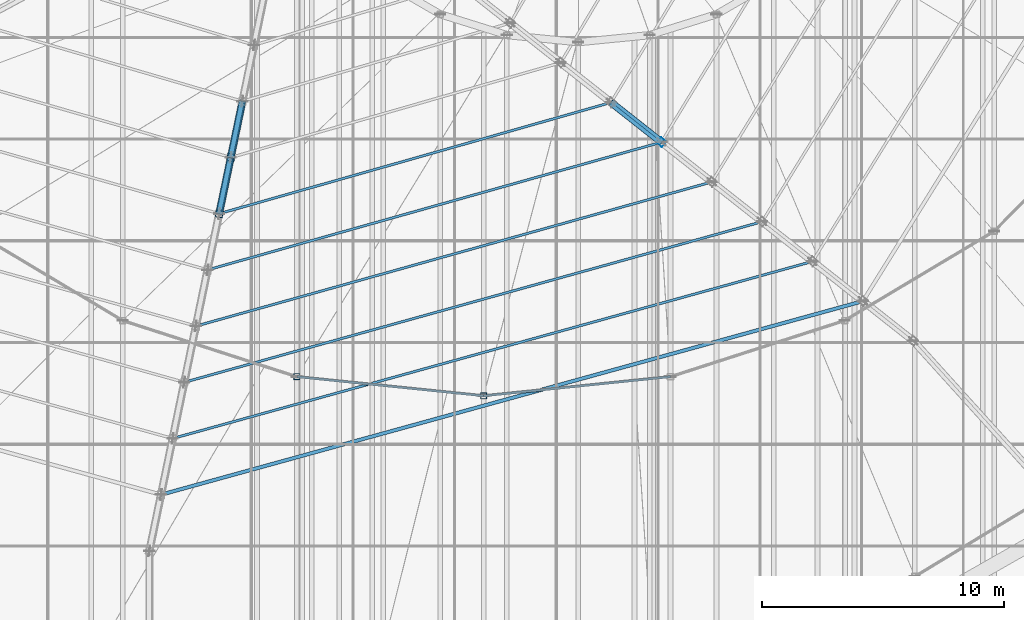
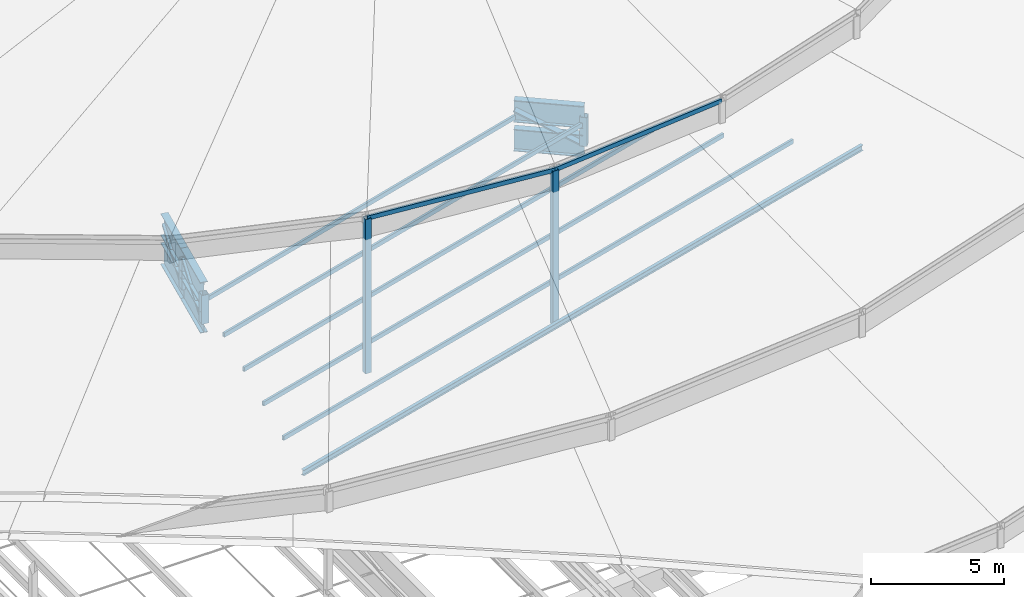
# One storey, part 50 of 184: 16 members, 6 beams.
"""IFC4 building model written with IfcOpenShell, lengths in metres."""

from ifc_helpers import new_model, si_unit, direction, frame, origin, origin_2d, place, context, subcontext, project, spatial, hollow_rectangle, i_section, extrude, material, material_profile, profile_set, type_object, element, save


model = new_model("IFC4")

# Units and contexts
model_context = context("Model", 3, precision=1e-05, world=origin(), true_north=direction((0.0, 1.0)))
body_context = subcontext(model_context, "Body", "Model", "MODEL_VIEW")
ifc_project = project(units=[si_unit("LENGTHUNIT", "METRE"), si_unit("AREAUNIT", "SQUARE_METRE"), si_unit("VOLUMEUNIT", "CUBIC_METRE"), si_unit("PLANEANGLEUNIT", "RADIAN"), si_unit("MASSUNIT", "GRAM", prefix="KILO")], contexts=[model_context])

# Site, building, storey
site_placement = place(None, origin())
site = spatial("IfcSite", under=ifc_project, at=site_placement, CompositionType="ELEMENT")
building_placement = place(site_placement, origin())
building = spatial("IfcBuilding", under=site, at=building_placement, Name="Kalgoora Escarpment Arena", CompositionType="ELEMENT")
storey_placement = place(building_placement, frame((0.0, 0.0, 27.60009765625)))
storey = spatial("IfcBuildingStorey", under=building, at=storey_placement, Name="Roof Level", CompositionType="ELEMENT", Elevation=27.60009765625)

# Beams
ifc_material_1 = material(Name="Structural steel Grade 350 (350 MPa)", Category="steel")
ifc_material_profile_1 = material_profile(ifc_material_1, i_section(OverallWidth=0.300048828125, OverallDepth=1.010009765625, WebThickness=0.01611328125, FlangeThickness=0.030029296875, at=origin_2d()))
ifc_profile_set_1 = profile_set([ifc_material_profile_1], Name="Structural steel Grade 350 (350 MPa)")
beam_type = type_object("IfcBeamType", Name="BM-TRUSS-CHORD", PredefinedType="USERDEFINED", material=ifc_profile_set_1)
for number, where, z_axis, x_axis, name in (
    (1, (95.277587890625, 48.30810546875, -1.6201171875), (0.202584900678, 0.979262359773, 0.002142136412), (-0.979264606575, 0.202585365485, 0.0), "Radial ROOF TRUSS spine 7 bottom chord 8"),
    (2, (95.277587890625, 48.30810546875, -0.2900390625), (0.202583593754, 0.979256042318, 0.004182239347), (-0.979264606575, 0.202585365485, 0.0), "Radial ROOF TRUSS spine 7 top chord 8"),
):
    element("IfcBeam", number, at=place(storey_placement, frame(where, z_axis=z_axis, x_axis=x_axis)), inside=storey, type_object=beam_type, Name=name, ObjectType="GIRDER", PredefinedType="USERDEFINED", context=body_context, shape_type="SweptSolid", body=[
        extrude(i_section(OverallWidth=0.300048828125, OverallDepth=1.010009765625, WebThickness=0.01611328125, FlangeThickness=0.030029296875, at=origin_2d()), origin(), (0.0, 0.0, 1.0), 2.393310546875),
    ])
for number, where, z_axis, x_axis, name in (
    (3, (95.757568359375, 50.628173828125, -1.614990234375), (0.202605182316, 0.979258381192, 0.002040334162), (-0.979260419507, 0.202605604036, 0.0), "Radial ROOF TRUSS spine 7 bottom chord 9"),
    (4, (95.757568359375, 50.628173828125, -0.280029296875), (0.202603831774, 0.979251853575, 0.004182657151), (-0.979260419507, 0.202605604036, 0.0), "Radial ROOF TRUSS spine 7 top chord 9"),
):
    element("IfcBeam", number, at=place(storey_placement, frame(where, z_axis=z_axis, x_axis=x_axis)), inside=storey, type_object=beam_type, Name=name, ObjectType="GIRDER", PredefinedType="USERDEFINED", context=body_context, shape_type="SweptSolid", body=[
        extrude(i_section(OverallWidth=0.300048828125, OverallDepth=1.010009765625, WebThickness=0.01611328125, FlangeThickness=0.030029296875, at=origin_2d()), origin(), (0.0, 0.0, 1.0), 2.39306640625),
    ])
for number, where, z_axis, x_axis, name in (
    (5, (113.5478515625, 51.2646484375, -1.625), (-0.785161943142, 0.619287805317, 0.001826807685), (-0.619288838671, -0.785163253277, 0.0), "Radial ROOF TRUSS spine 8 bottom chord 7"),
    (6, (113.5478515625, 51.2646484375, -0.300048828125), (-0.78515774748, 0.619284496035, 0.003744935743), (-0.619288838671, -0.785163253277, 0.0), "Radial ROOF TRUSS spine 8 top chord 7"),
):
    element("IfcBeam", number, at=place(storey_placement, frame(where, z_axis=z_axis, x_axis=x_axis)), inside=storey, type_object=beam_type, Name=name, ObjectType="GIRDER", PredefinedType="USERDEFINED", context=body_context, shape_type="SweptSolid", body=[
        extrude(i_section(OverallWidth=0.300048828125, OverallDepth=1.010009765625, WebThickness=0.01611328125, FlangeThickness=0.030029296875, at=origin_2d()), origin(), (0.0, 0.0, 1.0), 2.6728515625),
    ])

# Members
ifc_material_2 = material(Name="Structural steel C450 (450 MPa)", Category="steel")
ifc_material_profile_2 = material_profile(ifc_material_2, hollow_rectangle(XDim=0.25, YDim=0.25, WallThickness=0.012451171875, at=origin_2d()))
ifc_profile_set_2 = profile_set([ifc_material_profile_2], Name="Structural steel C450 (450 MPa)")
member_type_1 = type_object("IfcMemberType", Name="MEM-PETAL-POST", PredefinedType="POST", material=ifc_profile_set_2)
for number, where, z_axis, x_axis, name in (
    (7, (98.4873046875, 41.590576171875, -0.960205078125), (0.0, 0.0, 1.0), (1.0, 0.0, 0.0), "Petal RP4 vertical support post S18"),
    (8, (106.199951171875, 40.800048828125, -0.960205078125), (0.0, 0.0, 1.0), (1.0, 0.0, 0.0), "Petal RP4 vertical support post S19"),
):
    element("IfcMember", number, at=place(storey_placement, frame(where, z_axis=z_axis, x_axis=x_axis)), inside=storey, type_object=member_type_1, Name=name, PredefinedType="POST", context=body_context, shape_type="SweptSolid", body=[
        extrude(hollow_rectangle(XDim=0.25, YDim=0.25, WallThickness=0.012451171875, at=origin_2d()), origin(), (0.0, 0.0, 1.0), 7.105224609375),
    ])
ifc_material_3 = material(Name="Structural steel C350 (350 MPa)", Category="steel")
ifc_material_profile_3 = material_profile(ifc_material_3, hollow_rectangle(XDim=0.10009765625, YDim=0.199951171875, WallThickness=0.009033203125, at=origin_2d()))
ifc_profile_set_3 = profile_set([ifc_material_profile_3], Name="Structural steel C350 (350 MPa)")
member_type_2 = type_object("IfcMemberType", Name="MEM-PURLIN-RHS", PredefinedType="PURLIN", material=ifc_profile_set_3)
member_1_placement = place(storey_placement, frame((93.360107421875, 39.0400390625, -0.68017578125), z_axis=(0.963777515171, 0.266707520048, 0.0), x_axis=(-0.266707520048, 0.963777515171, 0.0)))
element("IfcMember", 9, at=member_1_placement, inside=storey, type_object=member_type_2, Name="Roof circumferential purlin ring 3 sector 7", PredefinedType="PURLIN", context=body_context, shape_type="SweptSolid", body=[
    extrude(hollow_rectangle(XDim=0.10009765625, YDim=0.199951171875, WallThickness=0.009033203125, at=origin_2d()), origin(), (0.0, 0.0, 1.0), 27.410400390625),
])
member_2_placement = place(storey_placement, frame((93.840087890625, 41.360107421875, -0.670166015625), z_axis=(0.963476510969, 0.267792854294, 0.0), x_axis=(-0.267792854294, 0.963476510969, 0.0)))
element("IfcMember", 10, at=member_2_placement, inside=storey, type_object=member_type_2, Name="Roof circumferential purlin ring 4 sector 7", PredefinedType="PURLIN", context=body_context, shape_type="SweptSolid", body=[
    extrude(hollow_rectangle(XDim=0.10009765625, YDim=0.199951171875, WallThickness=0.009033203125, at=origin_2d()), origin(), (0.0, 0.0, 1.0), 24.761962890625),
])
member_3_placement = place(storey_placement, frame((94.320068359375, 43.679931640625, -0.66015625), z_axis=(0.963102515749, 0.269134806664, 0.0), x_axis=(-0.269134806664, 0.963102515749, 0.0)))
element("IfcMember", 11, at=member_3_placement, inside=storey, type_object=member_type_2, Name="Roof circumferential purlin ring 5 sector 7", PredefinedType="PURLIN", context=body_context, shape_type="SweptSolid", body=[
    extrude(hollow_rectangle(XDim=0.10009765625, YDim=0.199951171875, WallThickness=0.009033203125, at=origin_2d()), origin(), (0.0, 0.0, 1.0), 22.114013671875),
])
member_4_placement = place(storey_placement, frame((94.800048828125, 46.0, -0.650146484375), z_axis=(0.962623149743, 0.270844367817, 0.0), x_axis=(-0.270844367817, 0.962623149743, 0.0)))
element("IfcMember", 12, at=member_4_placement, inside=storey, type_object=member_type_2, Name="Roof circumferential purlin ring 6 sector 7", PredefinedType="PURLIN", context=body_context, shape_type="SweptSolid", body=[
    extrude(hollow_rectangle(XDim=0.10009765625, YDim=0.199951171875, WallThickness=0.009033203125, at=origin_2d()), origin(), (0.0, 0.0, 1.0), 19.4658203125),
])
member_5_placement = place(storey_placement, frame((95.280029296875, 48.320068359375, -0.64013671875), z_axis=(0.961992015011, 0.27307757699, 0.0), x_axis=(-0.27307757699, 0.961992015011, 0.0)))
element("IfcMember", 13, at=member_5_placement, inside=storey, type_object=member_type_2, Name="Roof circumferential purlin ring 7 sector 7", PredefinedType="PURLIN", context=body_context, shape_type="SweptSolid", body=[
    extrude(hollow_rectangle(XDim=0.10009765625, YDim=0.199951171875, WallThickness=0.009033203125, at=origin_2d()), origin(), (0.0, 0.0, 1.0), 16.817626953125),
])
member_6_placement = place(storey_placement, frame((98.4873046875, 41.590576171875, 6.125), z_axis=(0.994788156421, -0.101963345589, 0.0), x_axis=(0.101963345589, 0.994788156421, 0.0)))
element("IfcMember", 14, at=member_6_placement, inside=storey, type_object=member_type_2, Name="Petal RP4 eave support ring purlin S18", PredefinedType="PURLIN", context=body_context, shape_type="SweptSolid", body=[
    extrude(hollow_rectangle(XDim=0.10009765625, YDim=0.199951171875, WallThickness=0.009033203125, at=origin_2d()), origin(), (0.0, 0.0, 1.0), 7.753173828125),
])
member_7_placement = place(storey_placement, frame((106.199951171875, 40.800048828125, 6.125), z_axis=(0.994788483788, 0.101960151637, 0.0), x_axis=(-0.101960151637, 0.994788483788, 0.0)))
element("IfcMember", 15, at=member_7_placement, inside=storey, type_object=member_type_2, Name="Petal RP4 eave support ring purlin S19", PredefinedType="PURLIN", context=body_context, shape_type="SweptSolid", body=[
    extrude(hollow_rectangle(XDim=0.10009765625, YDim=0.199951171875, WallThickness=0.009033203125, at=origin_2d()), origin(), (0.0, 0.0, 1.0), 7.75341796875),
])
ifc_material_4 = material(Name="Structural steel AS/NZS 3679 (300 MPa)", Category="steel")
ifc_material_profile_4 = material_profile(ifc_material_4, i_section(OverallWidth=0.14599609375, OverallDepth=0.256103515625, WebThickness=0.00634765625, FlangeThickness=0.010986328125, at=origin_2d()))
ifc_profile_set_4 = profile_set([ifc_material_profile_4], Name="Structural steel AS/NZS 3679 (300 MPa)")
member_type_3 = type_object("IfcMemberType", Name="MEM-PURLIN-UB", PredefinedType="PURLIN", material=ifc_profile_set_4)
member_8_placement = place(storey_placement, frame((92.8798828125, 36.719970703125, -0.690185546875), z_axis=(0.964023053894, 0.26581864412, 0.0), x_axis=(-0.26581864412, 0.964023053894, 0.0)))
element("IfcMember", 16, at=member_8_placement, inside=storey, type_object=member_type_3, Name="Roof circumferential purlin ring 2 sector 7", PredefinedType="PURLIN", context=body_context, shape_type="SweptSolid", body=[
    extrude(i_section(OverallWidth=0.14599609375, OverallDepth=0.256103515625, WebThickness=0.00634765625, FlangeThickness=0.010986328125, at=origin_2d()), origin(), (0.0, 0.0, 1.0), 30.05908203125),
])
ifc_material_5 = material(Name="Structural steel C350 (350 MPa)", Category="steel")
ifc_material_profile_5 = material_profile(ifc_material_5, hollow_rectangle(XDim=0.199951171875, YDim=0.199951171875, WallThickness=0.009033203125, at=origin_2d()))
ifc_profile_set_5 = profile_set([ifc_material_profile_5], Name="Structural steel C350 (350 MPa)")
member_type_4 = type_object("IfcMemberType", Name="MEM-TRUSS-DIAG", PredefinedType="BRACE", material=ifc_profile_set_5)
member_9_placement = place(storey_placement, frame((95.280029296875, 48.320068359375, -1.6201171875), z_axis=(0.176351397577, 0.852335188087, 0.492366643592), x_axis=(-0.237243393222, -0.448655331993, 0.861640276129)))
element("IfcMember", 17, at=member_9_placement, inside=storey, type_object=member_type_4, Name="Radial ROOF TRUSS spine 7 web diagonal 8", PredefinedType="BRACE", context=body_context, shape_type="SweptSolid", body=[
    extrude(hollow_rectangle(XDim=0.199951171875, YDim=0.199951171875, WallThickness=0.009033203125, at=origin_2d()), origin(), (0.0, 0.0, 1.0), 2.7216796875),
])
member_10_placement = place(storey_placement, frame((95.760009765625, 50.639892578125, -1.614990234375), z_axis=(0.176182100968, 0.851606564344, 0.493686263598), x_axis=(-0.237498683344, -0.449939553112, 0.860899979066)))
element("IfcMember", 18, at=member_10_placement, inside=storey, type_object=member_type_4, Name="Radial ROOF TRUSS spine 7 web diagonal 9", PredefinedType="BRACE", context=body_context, shape_type="SweptSolid", body=[
    extrude(hollow_rectangle(XDim=0.199951171875, YDim=0.199951171875, WallThickness=0.009033203125, at=origin_2d()), origin(), (0.0, 0.0, 1.0), 2.724365234375),
])
member_11_placement = place(storey_placement, frame((113.538330078125, 51.272216796875, -1.625), z_axis=(-0.701164503492, 0.5530137691, 0.450049008697), x_axis=(0.699492417174, 0.411251820483, 0.584450424302)))
element("IfcMember", 19, at=member_11_placement, inside=storey, type_object=member_type_4, Name="Radial ROOF TRUSS spine 8 web diagonal 7", PredefinedType="BRACE", context=body_context, shape_type="SweptSolid", body=[
    extrude(hollow_rectangle(XDim=0.199951171875, YDim=0.199951171875, WallThickness=0.009033203125, at=origin_2d()), origin(), (0.0, 0.0, 1.0), 2.96630859375),
])
ifc_material_6 = material(Name="Structural steel C450 (450 MPa)", Category="steel")
ifc_material_profile_6 = material_profile(ifc_material_6, hollow_rectangle(XDim=0.300048828125, YDim=0.300048828125, WallThickness=0.012451171875, at=origin_2d()))
ifc_profile_set_6 = profile_set([ifc_material_profile_6], Name="Structural steel C450 (450 MPa)")
member_type_5 = type_object("IfcMemberType", Name="MEM-TRUSS-POST", PredefinedType="POST", material=ifc_profile_set_6)
member_12_placement = place(storey_placement, frame((95.280029296875, 48.320068359375, -1.6201171875), z_axis=(0.0, 0.0, 1.0), x_axis=(0.141419587774, 0.989949746297, 0.0)))
element("IfcMember", 20, at=member_12_placement, inside=storey, type_object=member_type_5, Name="Radial ROOF TRUSS spine 7 post 7", PredefinedType="POST", context=body_context, shape_type="SweptSolid", body=[
    extrude(hollow_rectangle(XDim=0.300048828125, YDim=0.300048828125, WallThickness=0.012451171875, at=origin_2d()), origin(), (0.0, 0.0, 1.0), 1.330078125),
])
member_13_placement = place(storey_placement, frame((95.760009765625, 50.639892578125, -1.614990234375), z_axis=(0.0, 0.0, 1.0), x_axis=(0.141419587774, 0.989949746297, 0.0)))
element("IfcMember", 21, at=member_13_placement, inside=storey, type_object=member_type_5, Name="Radial ROOF TRUSS spine 7 post 8", PredefinedType="POST", context=body_context, shape_type="SweptSolid", body=[
    extrude(hollow_rectangle(XDim=0.300048828125, YDim=0.300048828125, WallThickness=0.012451171875, at=origin_2d()), origin(), (0.0, 0.0, 1.0), 1.3349609375),
])
member_14_placement = place(storey_placement, frame((113.538330078125, 51.272216796875, -1.625), z_axis=(0.0, 0.0, 1.0), x_axis=(-0.756081970773, 0.6544769312, 0.0)))
element("IfcMember", 22, at=member_14_placement, inside=storey, type_object=member_type_5, Name="Radial ROOF TRUSS spine 8 post 6", PredefinedType="POST", context=body_context, shape_type="SweptSolid", body=[
    extrude(hollow_rectangle(XDim=0.300048828125, YDim=0.300048828125, WallThickness=0.012451171875, at=origin_2d()), origin(), (0.0, 0.0, 1.0), 1.324951171875),
])

save(model, "model.ifc")
